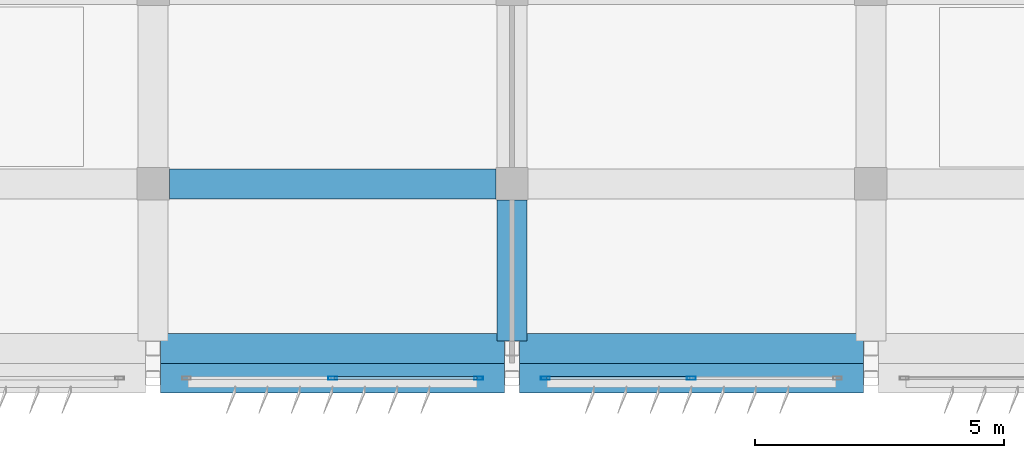
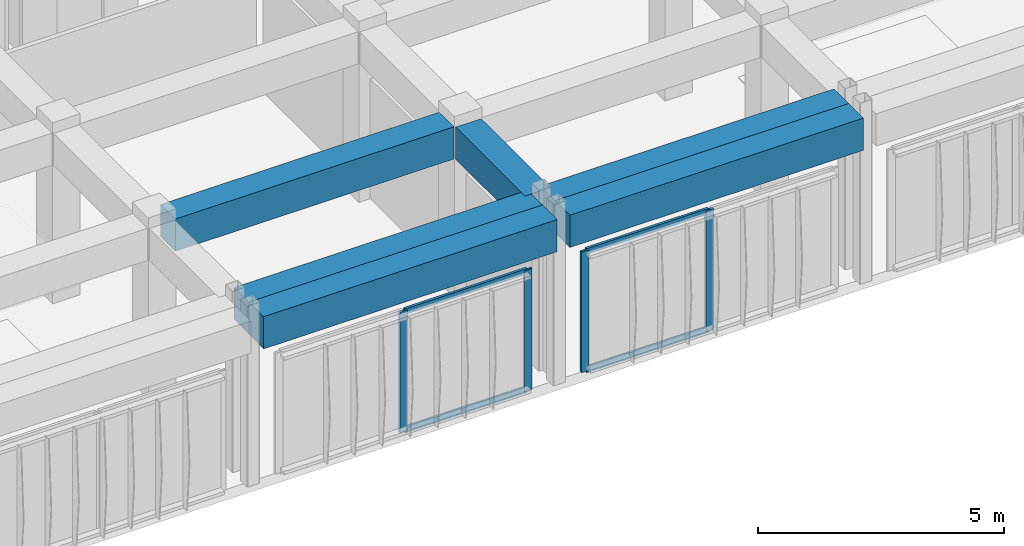
# One storey, part 19 of 56: 8 members, 6 beams, 2 elements without a shape of their own.
"""IFC4 building model written with IfcOpenShell, lengths in metres."""

from ifc_helpers import new_model, si_unit, direction, frame, origin, origin_2d, place, context, subcontext, project, spatial, rectangle, hollow_rectangle, extrude, material, material_profile, profile_set, type_object, element, aggregate, save


model = new_model("IFC4")

# Units and contexts
model_context = context("Model", 3, precision=1e-05, world=origin(), true_north=direction((0.0, 1.0)))
body_context = subcontext(model_context, "Body", "Model", "MODEL_VIEW")
ifc_project = project(units=[si_unit("LENGTHUNIT", "METRE"), si_unit("AREAUNIT", "SQUARE_METRE"), si_unit("VOLUMEUNIT", "CUBIC_METRE"), si_unit("PLANEANGLEUNIT", "RADIAN"), si_unit("MASSUNIT", "GRAM", prefix="KILO")], contexts=[model_context])

# Site, building, storey
site_placement = place(None, origin())
site = spatial("IfcSite", under=ifc_project, at=site_placement, CompositionType="ELEMENT")
building_placement = place(site_placement, origin())
building = spatial("IfcBuilding", under=site, at=building_placement, Name="Kazehaya Institute of Natural Sciences", CompositionType="ELEMENT")
storey_placement = place(building_placement, frame((0.0, 0.0, 28.800048828125)))
storey = spatial("IfcBuildingStorey", under=building, at=storey_placement, Name="L06", CompositionType="ELEMENT", Elevation=28.800048828125)

# Beams
ifc_material_1 = material(Name="Concrete Fc36", Category="concrete")
ifc_material_profile_1 = material_profile(ifc_material_1, rectangle(XDim=0.60009765625, YDim=0.800048828125, at=origin_2d()), Name="RC-600x800")
ifc_profile_set_1 = profile_set([ifc_material_profile_1], Name="Concrete Fc36")
beam_type = type_object("IfcBeamType", Name="BM-G-600x800", PredefinedType="BEAM", material=ifc_profile_set_1)
beam_1_placement = place(storey_placement, frame((90.75, 6.199951171875, 3.829833984375), z_axis=(1.0, 0.0, 0.0), x_axis=(0.0, 1.0, 0.0)))
element("IfcBeam", 1, at=beam_1_placement, inside=storey, type_object=beam_type, Name="L06 primary X girder BMX-L06-906-62", PredefinedType="BEAM", context=body_context, shape_type="SweptSolid", body=[
    extrude(rectangle(XDim=0.60009765625, YDim=0.800048828125, at=origin_2d()), origin(), (0.0, 0.0, 1.0), 6.89990234375),
])
beam_2_placement = place(storey_placement, frame((97.949951171875, 6.199951171875, 3.829833984375), z_axis=(1.0, 0.0, 0.0), x_axis=(0.0, 1.0, 0.0)))
element("IfcBeam", 2, at=beam_2_placement, inside=storey, type_object=beam_type, Name="L06 primary X girder BMX-L06-978-62", PredefinedType="BEAM", context=body_context, shape_type="SweptSolid", body=[
    extrude(rectangle(XDim=0.60009765625, YDim=0.800048828125, at=origin_2d()), origin(), (0.0, 0.0, 1.0), 6.900146484375),
])
beam_3_placement = place(storey_placement, frame((90.75, 6.800048828125, 3.829833984375), z_axis=(1.0, 0.0, 0.0), x_axis=(0.0, 1.0, 0.0)))
element("IfcBeam", 3, at=beam_3_placement, inside=storey, type_object=beam_type, Name="L06 primary X girder BMX-L06-906-68", PredefinedType="BEAM", context=body_context, shape_type="SweptSolid", body=[
    extrude(rectangle(XDim=0.60009765625, YDim=0.800048828125, at=origin_2d()), origin(), (0.0, 0.0, 1.0), 6.89990234375),
])
beam_4_placement = place(storey_placement, frame((97.949951171875, 6.800048828125, 3.829833984375), z_axis=(1.0, 0.0, 0.0), x_axis=(0.0, 1.0, 0.0)))
element("IfcBeam", 4, at=beam_4_placement, inside=storey, type_object=beam_type, Name="L06 primary X girder BMX-L06-978-68", PredefinedType="BEAM", context=body_context, shape_type="SweptSolid", body=[
    extrude(rectangle(XDim=0.60009765625, YDim=0.800048828125, at=origin_2d()), origin(), (0.0, 0.0, 1.0), 6.900146484375),
])
beam_5_placement = place(storey_placement, frame((90.925048828125, 10.10009765625, 3.829833984375), z_axis=(1.0, 0.0, 0.0), x_axis=(0.0, 1.0, 0.0)))
element("IfcBeam", 5, at=beam_5_placement, inside=storey, type_object=beam_type, Name="L06 primary X girder BMX-L06-906-101", PredefinedType="BEAM", context=body_context, shape_type="SweptSolid", body=[
    extrude(rectangle(XDim=0.60009765625, YDim=0.800048828125, at=origin_2d()), origin(), (0.0, 0.0, 1.0), 6.550048828125),
])
beam_6_placement = place(storey_placement, frame((97.800048828125, 6.949951171875, 3.829833984375), z_axis=(0.0, 1.0, 0.0), x_axis=(-1.0, 0.0, 0.0)))
element("IfcBeam", 6, at=beam_6_placement, inside=storey, type_object=beam_type, Name="L06 primary Y girder BMY-L06-978-68", PredefinedType="BEAM", context=body_context, shape_type="SweptSolid", body=[
    extrude(rectangle(XDim=0.60009765625, YDim=0.800048828125, at=origin_2d()), origin(), (0.0, 0.0, 1.0), 2.824951171875),
])

# Curtain wall, members
ifc_material_2 = material(Name="Aluminium alloy A6063S-T5", Category="aluminium")
curtain_wall_type = type_object("IfcCurtainWallType", Name="CW-SYS-04", PredefinedType="NOTDEFINED", material=ifc_material_2)
curtain_wall_1_placement = place(storey_placement, origin())
curtain_wall_1 = element("IfcCurtainWall", 7, at=curtain_wall_1_placement, inside=storey, type_object=curtain_wall_type, Name="L06 unitised curtain wall CW-L06-122", PredefinedType="NOTDEFINED")
ifc_material_profile_2 = material_profile(ifc_material_2, hollow_rectangle(XDim=0.06005859375, YDim=0.179931640625, WallThickness=0.00390625, at=origin_2d()), Name="ALU-60x180x4")
ifc_profile_set_2 = profile_set([ifc_material_profile_2], Name="Aluminium alloy A6063S-T5")
member_type_1 = type_object("IfcMemberType", Name="CWM-180", PredefinedType="MULLION", material=ifc_profile_set_2)
member_1_placement = place(storey_placement, frame((101.39990234375, 6.199951171875, 0.0), z_axis=(0.0, 0.0, 1.0), x_axis=(0.0, -1.0, 0.0)))
member_1 = element("IfcMember", 8, at=member_1_placement, type_object=member_type_1, Name="CW04 mullion 2", PredefinedType="MULLION", context=body_context, shape_type="SweptSolid", body=[
    extrude(hollow_rectangle(XDim=0.06005859375, YDim=0.179931640625, WallThickness=0.00390625, at=origin_2d()), origin(), (0.0, 0.0, 1.0), 3.0),
])
member_2_placement = place(storey_placement, frame((98.469970703125, 6.199951171875, 0.0), z_axis=(0.0, 0.0, 1.0), x_axis=(0.0, -1.0, 0.0)))
member_2 = element("IfcMember", 9, at=member_2_placement, type_object=member_type_1, Name="CW04 mullion 3", PredefinedType="MULLION", context=body_context, shape_type="SweptSolid", body=[
    extrude(hollow_rectangle(XDim=0.06005859375, YDim=0.179931640625, WallThickness=0.00390625, at=origin_2d()), origin(), (0.0, 0.0, 1.0), 3.0),
])

curtain_wall_2_placement = place(storey_placement, origin())
curtain_wall_2 = element("IfcCurtainWall", 10, at=curtain_wall_2_placement, inside=storey, type_object=curtain_wall_type, Name="L06 unitised curtain wall CW-L06-123", PredefinedType="NOTDEFINED")
member_3_placement = place(storey_placement, frame((97.1298828125, 6.199951171875, 0.0), z_axis=(0.0, 0.0, 1.0), x_axis=(0.0, -1.0, 0.0)))
member_3 = element("IfcMember", 11, at=member_3_placement, type_object=member_type_1, Name="CW04 mullion 1", PredefinedType="MULLION", context=body_context, shape_type="SweptSolid", body=[
    extrude(hollow_rectangle(XDim=0.06005859375, YDim=0.179931640625, WallThickness=0.00390625, at=origin_2d()), origin(), (0.0, 0.0, 1.0), 3.0),
])
member_4_placement = place(storey_placement, frame((94.199951171875, 6.199951171875, 0.0), z_axis=(0.0, 0.0, 1.0), x_axis=(0.0, -1.0, 0.0)))
member_4 = element("IfcMember", 12, at=member_4_placement, type_object=member_type_1, Name="CW04 mullion 2", PredefinedType="MULLION", context=body_context, shape_type="SweptSolid", body=[
    extrude(hollow_rectangle(XDim=0.06005859375, YDim=0.179931640625, WallThickness=0.00390625, at=origin_2d()), origin(), (0.0, 0.0, 1.0), 3.0),
])

# Member
ifc_material_profile_3 = material_profile(ifc_material_2, hollow_rectangle(XDim=0.06005859375, YDim=0.139892578125, WallThickness=0.00341796875, at=origin_2d()), Name="ALU-60x140x3.5")
ifc_profile_set_3 = profile_set([ifc_material_profile_3], Name="Aluminium alloy A6063S-T5")
member_type_2 = type_object("IfcMemberType", Name="CWT-140", PredefinedType="USERDEFINED", material=ifc_profile_set_3)
member_5_placement = place(storey_placement, frame((101.3701171875, 6.199951171875, 0.030029296875), z_axis=(-1.0, 0.0, 0.0), x_axis=(0.0, -1.0, 0.0)))
member_5 = element("IfcMember", 13, at=member_5_placement, type_object=member_type_2, Name="CW04 transom 2.1", ObjectType="TRANSOM", PredefinedType="USERDEFINED", context=body_context, shape_type="SweptSolid", body=[
    extrude(hollow_rectangle(XDim=0.06005859375, YDim=0.139892578125, WallThickness=0.00341796875, at=origin_2d()), origin(), (0.0, 0.0, 1.0), 2.8701171875),
])

member_6_placement = place(storey_placement, frame((101.3701171875, 6.199951171875, 2.969970703125), z_axis=(-1.0, 0.0, 0.0), x_axis=(0.0, -1.0, 0.0)))
member_6 = element("IfcMember", 14, at=member_6_placement, type_object=member_type_2, Name="CW04 transom 2.2", ObjectType="TRANSOM", PredefinedType="USERDEFINED", context=body_context, shape_type="SweptSolid", body=[
    extrude(hollow_rectangle(XDim=0.06005859375, YDim=0.139892578125, WallThickness=0.00341796875, at=origin_2d()), origin(), (0.0, 0.0, 1.0), 2.8701171875),
])

aggregate(curtain_wall_1, [member_1, member_2, member_5, member_6])

member_7_placement = place(storey_placement, frame((97.10009765625, 6.199951171875, 0.030029296875), z_axis=(-1.0, 0.0, 0.0), x_axis=(0.0, -1.0, 0.0)))
member_7 = element("IfcMember", 15, at=member_7_placement, type_object=member_type_2, Name="CW04 transom 1.1", ObjectType="TRANSOM", PredefinedType="USERDEFINED", context=body_context, shape_type="SweptSolid", body=[
    extrude(hollow_rectangle(XDim=0.06005859375, YDim=0.139892578125, WallThickness=0.00341796875, at=origin_2d()), origin(), (0.0, 0.0, 1.0), 2.8701171875),
])

member_8_placement = place(storey_placement, frame((97.10009765625, 6.199951171875, 2.969970703125), z_axis=(-1.0, 0.0, 0.0), x_axis=(0.0, -1.0, 0.0)))
member_8 = element("IfcMember", 16, at=member_8_placement, type_object=member_type_2, Name="CW04 transom 1.2", ObjectType="TRANSOM", PredefinedType="USERDEFINED", context=body_context, shape_type="SweptSolid", body=[
    extrude(hollow_rectangle(XDim=0.06005859375, YDim=0.139892578125, WallThickness=0.00341796875, at=origin_2d()), origin(), (0.0, 0.0, 1.0), 2.8701171875),
])

aggregate(curtain_wall_2, [member_3, member_4, member_7, member_8])

save(model, "model.ifc")
